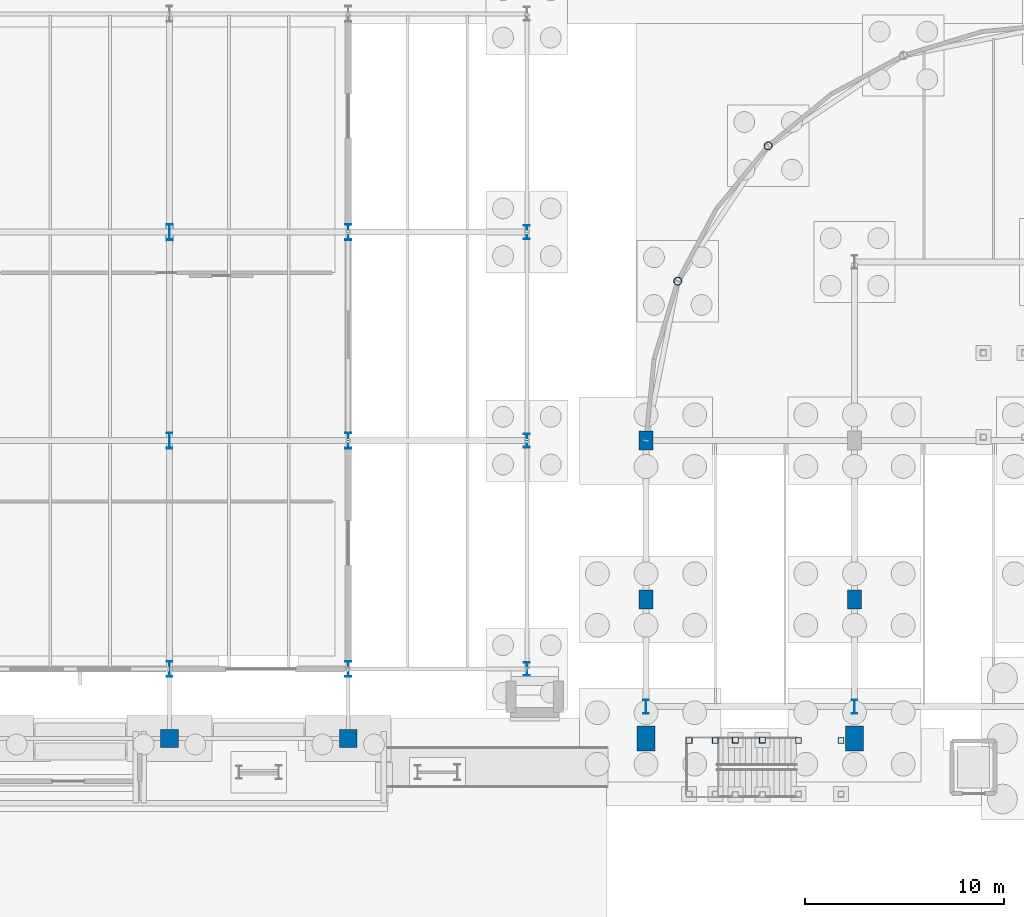
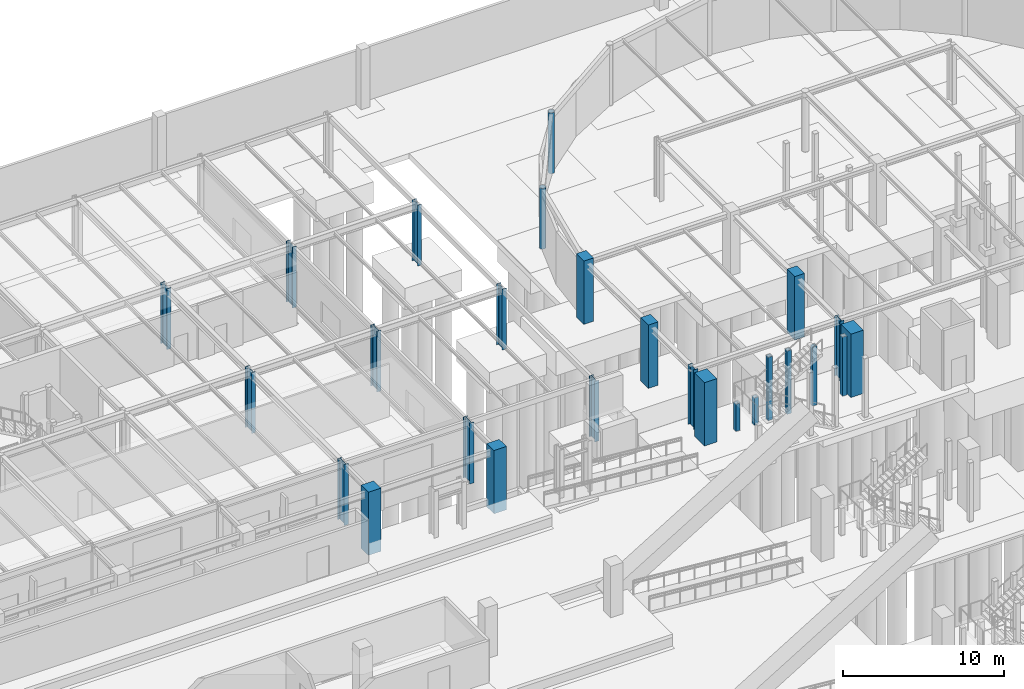
# One storey, part 24 of 160: 26 columns.
"""IFC4 building model written with IfcOpenShell, lengths in metres."""

from ifc_helpers import new_model, si_unit, direction, frame, origin, origin_2d, place, context, subcontext, project, spatial, rectangle, hollow_rectangle, hollow_circle, i_section, extrude, material, material_profile, profile_set, type_object, element, save


model = new_model("IFC4")

# Units and contexts
model_context = context("Model", 3, precision=1e-05, world=origin(), true_north=direction((0.0, 1.0)))
body_context = subcontext(model_context, "Body", "Model", "MODEL_VIEW")
ifc_project = project(units=[si_unit("LENGTHUNIT", "METRE"), si_unit("AREAUNIT", "SQUARE_METRE"), si_unit("VOLUMEUNIT", "CUBIC_METRE"), si_unit("PLANEANGLEUNIT", "RADIAN"), si_unit("MASSUNIT", "GRAM", prefix="KILO")], contexts=[model_context])

# Site, building, storey
site_placement = place(None, origin())
site = spatial("IfcSite", under=ifc_project, at=site_placement, CompositionType="ELEMENT")
building_placement = place(site_placement, origin())
building = spatial("IfcBuilding", under=site, at=building_placement, Name="Marlcrest Central Station", CompositionType="ELEMENT")
storey_placement = place(building_placement, origin())
storey = spatial("IfcBuildingStorey", under=building, at=storey_placement, Name="L00", CompositionType="ELEMENT", Elevation=0.0)

# Columns
ifc_material_1 = material(Name="Concrete C50/60", Category="concrete")
ifc_material_profile_1 = material_profile(ifc_material_1, rectangle(XDim=0.89990234375, YDim=0.89990234375, at=origin_2d()), Name="RC 900x900")
ifc_profile_set_1 = profile_set([ifc_material_profile_1], Name="Concrete C50/60")
column_type_1 = type_object("IfcColumnType", Name="RC-08", PredefinedType="COLUMN", material=ifc_profile_set_1)
for number, where, z_axis, x_axis, name in (
    (1, (63.0, 95.5, 0.0), (0.0, 0.0, 1.0), (1.0, 0.0, 0.0), "col-RC-08-L00-0490"),
    (2, (72.0, 95.5, 0.0), (0.0, 0.0, 1.0), (1.0, 0.0, 0.0), "col-RC-08-L00-0500"),
):
    element("IfcColumn", number, at=place(storey_placement, frame(where, z_axis=z_axis, x_axis=x_axis)), inside=storey, type_object=column_type_1, Name=name, PredefinedType="COLUMN", context=body_context, shape_type="SweptSolid", body=[
        extrude(rectangle(XDim=0.89990234375, YDim=0.89990234375, at=origin_2d()), origin(), (0.0, 0.0, 1.0), 4.800048828125),
    ])
ifc_material_profile_2 = material_profile(ifc_material_1, rectangle(XDim=0.699951171875, YDim=0.949951171875, at=origin_2d()), Name="RC 700x950")
ifc_profile_set_2 = profile_set([ifc_material_profile_2], Name="Concrete C50/60")
column_type_2 = type_object("IfcColumnType", Name="RC-10", PredefinedType="COLUMN", material=ifc_profile_set_2)
for number, where, z_axis, x_axis, name in (
    (3, (87.0, 102.5, 0.0), (0.0, 0.0, 1.0), (1.0, 0.0, 0.0), "col-RC-10-L00-0751"),
    (4, (97.5, 102.5, 0.0), (0.0, 0.0, 1.0), (1.0, 0.0, 0.0), "col-RC-10-L00-0753"),
    (5, (87.0, 110.5, 0.0), (0.0, 0.0, 1.0), (1.0, 0.0, 0.0), "col-RC-10-L00-0769"),
):
    element("IfcColumn", number, at=place(storey_placement, frame(where, z_axis=z_axis, x_axis=x_axis)), inside=storey, type_object=column_type_2, Name=name, PredefinedType="COLUMN", context=body_context, shape_type="SweptSolid", body=[
        extrude(rectangle(XDim=0.699951171875, YDim=0.949951171875, at=origin_2d()), origin(), (0.0, 0.0, 1.0), 4.800048828125),
    ])
ifc_material_profile_3 = material_profile(ifc_material_1, rectangle(XDim=0.89990234375, YDim=1.25, at=origin_2d()), Name="RC 900x1250")
ifc_profile_set_3 = profile_set([ifc_material_profile_3], Name="Concrete C50/60")
column_type_3 = type_object("IfcColumnType", Name="RC-12", PredefinedType="COLUMN", material=ifc_profile_set_3)
for number, where, z_axis, x_axis, name in (
    (6, (87.0, 95.5, 0.0), (0.0, 0.0, 1.0), (1.0, 0.0, 0.0), "col-RC-12-L00-0625"),
    (7, (97.5, 95.5, 0.0), (0.0, 0.0, 1.0), (1.0, 0.0, 0.0), "col-RC-12-L00-0635"),
):
    element("IfcColumn", number, at=place(storey_placement, frame(where, z_axis=z_axis, x_axis=x_axis)), inside=storey, type_object=column_type_3, Name=name, PredefinedType="COLUMN", context=body_context, shape_type="SweptSolid", body=[
        extrude(rectangle(XDim=0.89990234375, YDim=1.25, at=origin_2d()), origin(), (0.0, 0.0, 1.0), 4.800048828125),
    ])
ifc_material_2 = material(Name="Steel S355", Category="steel")
ifc_material_profile_4 = material_profile(ifc_material_2, i_section(OverallWidth=0.300048828125, OverallDepth=0.699951171875, WebThickness=0.01708984375, FlangeThickness=0.031982421875, FilletRadius=0.027099609375, at=origin_2d()), Name="HEB 700")
ifc_profile_set_4 = profile_set([ifc_material_profile_4], Name="Steel S355")
column_type_4 = type_object("IfcColumnType", Name="SC-07", PredefinedType="COLUMN", material=ifc_profile_set_4)
for number, where, z_axis, x_axis, name in (
    (8, (81.0, 99.0, 0.0), (0.0, 0.0, 1.0), (1.0, 0.0, 0.0), "col-SC-07-L00-0073"),
    (9, (81.0, 110.5, 0.0), (0.0, 0.0, 1.0), (1.0, 0.0, 0.0), "col-SC-07-L00-0074"),
    (10, (81.0, 121.0, 0.0), (0.0, 0.0, 1.0), (1.0, 0.0, 0.0), "col-SC-07-L00-0075"),
):
    element("IfcColumn", number, at=place(storey_placement, frame(where, z_axis=z_axis, x_axis=x_axis)), inside=storey, type_object=column_type_4, Name=name, PredefinedType="COLUMN", context=body_context, shape_type="SweptSolid", body=[
        extrude(i_section(OverallWidth=0.300048828125, OverallDepth=0.699951171875, WebThickness=0.01708984375, FlangeThickness=0.031982421875, FilletRadius=0.027099609375, at=origin_2d()), origin(), (0.0, 0.0, 1.0), 4.60498046875),
    ])
for number, where, z_axis, x_axis, name in (
    (11, (87.0, 97.10009765625, 0.0), (0.0, 0.0, 1.0), (1.0, 0.0, 0.0), "col-SC-07-L00-0884"),
    (12, (97.5, 97.10009765625, 0.0), (0.0, 0.0, 1.0), (1.0, 0.0, 0.0), "col-SC-07-L00-0887"),
):
    element("IfcColumn", number, at=place(storey_placement, frame(where, z_axis=z_axis, x_axis=x_axis)), inside=storey, type_object=column_type_4, Name=name, PredefinedType="COLUMN", context=body_context, shape_type="SweptSolid", body=[
        extrude(i_section(OverallWidth=0.300048828125, OverallDepth=0.699951171875, WebThickness=0.01708984375, FlangeThickness=0.031982421875, FilletRadius=0.027099609375, at=origin_2d()), origin(), (0.0, 0.0, 1.0), 4.52001953125),
    ])
ifc_material_profile_5 = material_profile(ifc_material_2, i_section(OverallWidth=0.300048828125, OverallDepth=0.800048828125, WebThickness=0.017578125, FlangeThickness=0.032958984375, FilletRadius=0.030029296875, at=origin_2d()), Name="HEB 800")
ifc_profile_set_5 = profile_set([ifc_material_profile_5], Name="Steel S355")
column_type_5 = type_object("IfcColumnType", Name="SC-08", PredefinedType="COLUMN", material=ifc_profile_set_5)
for number, where, z_axis, x_axis, name in (
    (13, (63.0, 99.0, 0.0), (0.0, 0.0, 1.0), (1.0, 0.0, 0.0), "col-SC-08-L00-0065"),
    (14, (63.0, 110.5, 0.0), (0.0, 0.0, 1.0), (1.0, 0.0, 0.0), "col-SC-08-L00-0066"),
    (15, (63.0, 121.0, 0.0), (0.0, 0.0, 1.0), (1.0, 0.0, 0.0), "col-SC-08-L00-0067"),
    (16, (72.0, 99.0, 0.0), (0.0, 0.0, 1.0), (1.0, 0.0, 0.0), "col-SC-08-L00-0069"),
    (17, (72.0, 110.5, 0.0), (0.0, 0.0, 1.0), (1.0, 0.0, 0.0), "col-SC-08-L00-0070"),
    (18, (72.0, 121.0, 0.0), (0.0, 0.0, 1.0), (1.0, 0.0, 0.0), "col-SC-08-L00-0071"),
):
    element("IfcColumn", number, at=place(storey_placement, frame(where, z_axis=z_axis, x_axis=x_axis)), inside=storey, type_object=column_type_5, Name=name, PredefinedType="COLUMN", context=body_context, shape_type="SweptSolid", body=[
        extrude(i_section(OverallWidth=0.300048828125, OverallDepth=0.800048828125, WebThickness=0.017578125, FlangeThickness=0.032958984375, FilletRadius=0.030029296875, at=origin_2d()), origin(), (0.0, 0.0, 1.0), 4.610107421875),
    ])
ifc_material_profile_6 = material_profile(ifc_material_2, hollow_circle(Radius=0.203125, WallThickness=0.02001953125, at=origin_2d()), Name="CHS 406.4x20")
ifc_profile_set_6 = profile_set([ifc_material_profile_6], Name="Steel S355")
column_type_6 = type_object("IfcColumnType", Name="SC-10", PredefinedType="COLUMN", material=ifc_profile_set_6)
for number, where, z_axis, x_axis, name in (
    (19, (88.59912109375, 118.535888671875, 0.0), (0.0, 0.0, 1.0), (1.0, 0.0, 0.0), "col-SC-10-L00-0843"),
    (20, (93.15087890625, 125.34912109375, 0.0), (0.0, 0.0, 1.0), (1.0, 0.0, 0.0), "col-SC-10-L00-0847"),
):
    element("IfcColumn", number, at=place(storey_placement, frame(where, z_axis=z_axis, x_axis=x_axis)), inside=storey, type_object=column_type_6, Name=name, PredefinedType="COLUMN", context=body_context, shape_type="SweptSolid", body=[
        extrude(hollow_circle(Radius=0.203125, WallThickness=0.02001953125, at=origin_2d()), origin(), (0.0, 0.0, 1.0), 4.610107421875),
    ])
ifc_material_profile_7 = material_profile(ifc_material_2, hollow_rectangle(XDim=0.300048828125, YDim=0.300048828125, WallThickness=0.01611328125, at=origin_2d()), Name="SHS 300x300x16")
ifc_profile_set_7 = profile_set([ifc_material_profile_7], Name="Steel S355")
column_type_7 = type_object("IfcColumnType", Name="SC-19", PredefinedType="COLUMN", material=ifc_profile_set_7)
for number, where, z_axis, x_axis, name in (
    (21, (94.679931640625, 95.39990234375, 0.0), (0.0, 0.0, 1.0), (1.0, 0.0, 0.0), "stcol-tr-0025-946-954"),
    (22, (96.820068359375, 95.39990234375, 0.0), (0.0, 0.0, 1.0), (1.0, 0.0, 0.0), "stcol-tr-0025-968-954"),
):
    element("IfcColumn", number, at=place(storey_placement, frame(where, z_axis=z_axis, x_axis=x_axis)), inside=storey, type_object=column_type_7, Name=name, PredefinedType="COLUMN", context=body_context, shape_type="SweptSolid", body=[
        extrude(hollow_rectangle(XDim=0.300048828125, YDim=0.300048828125, WallThickness=0.01611328125, at=origin_2d()), origin(), (0.0, 0.0, 1.0), 4.47998046875),
    ])
for number, where, z_axis, x_axis, name in (
    (23, (89.169921875, 95.39990234375, 0.0), (0.0, 0.0, 1.0), (1.0, 0.0, 0.0), "stcol-0026-891-954"),
    (24, (90.489990234375, 95.39990234375, 0.0), (0.0, 0.0, 1.0), (1.0, 0.0, 0.0), "stcol-0026-904-954"),
):
    element("IfcColumn", number, at=place(storey_placement, frame(where, z_axis=z_axis, x_axis=x_axis)), inside=storey, type_object=column_type_7, Name=name, PredefinedType="COLUMN", context=body_context, shape_type="SweptSolid", body=[
        extrude(hollow_rectangle(XDim=0.300048828125, YDim=0.300048828125, WallThickness=0.01611328125, at=origin_2d()), origin(), (0.0, 0.0, 1.0), 2.080078125),
    ])
for number, where, z_axis, x_axis, name in (
    (25, (91.5, 95.419921875, 0.0), (0.0, 0.0, 1.0), (1.0, 0.0, 0.0), "stcol-hi0-0027-915-954"),
    (26, (92.860107421875, 95.419921875, 0.0), (0.0, 0.0, 1.0), (1.0, 0.0, 0.0), "stcol-hi0-0027-928-954"),
):
    element("IfcColumn", number, at=place(storey_placement, frame(where, z_axis=z_axis, x_axis=x_axis)), inside=storey, type_object=column_type_7, Name=name, PredefinedType="COLUMN", context=body_context, shape_type="SweptSolid", body=[
        extrude(hollow_rectangle(XDim=0.300048828125, YDim=0.300048828125, WallThickness=0.01611328125, at=origin_2d()), origin(), (0.0, 0.0, 1.0), 4.800048828125),
    ])

save(model, "model.ifc")
